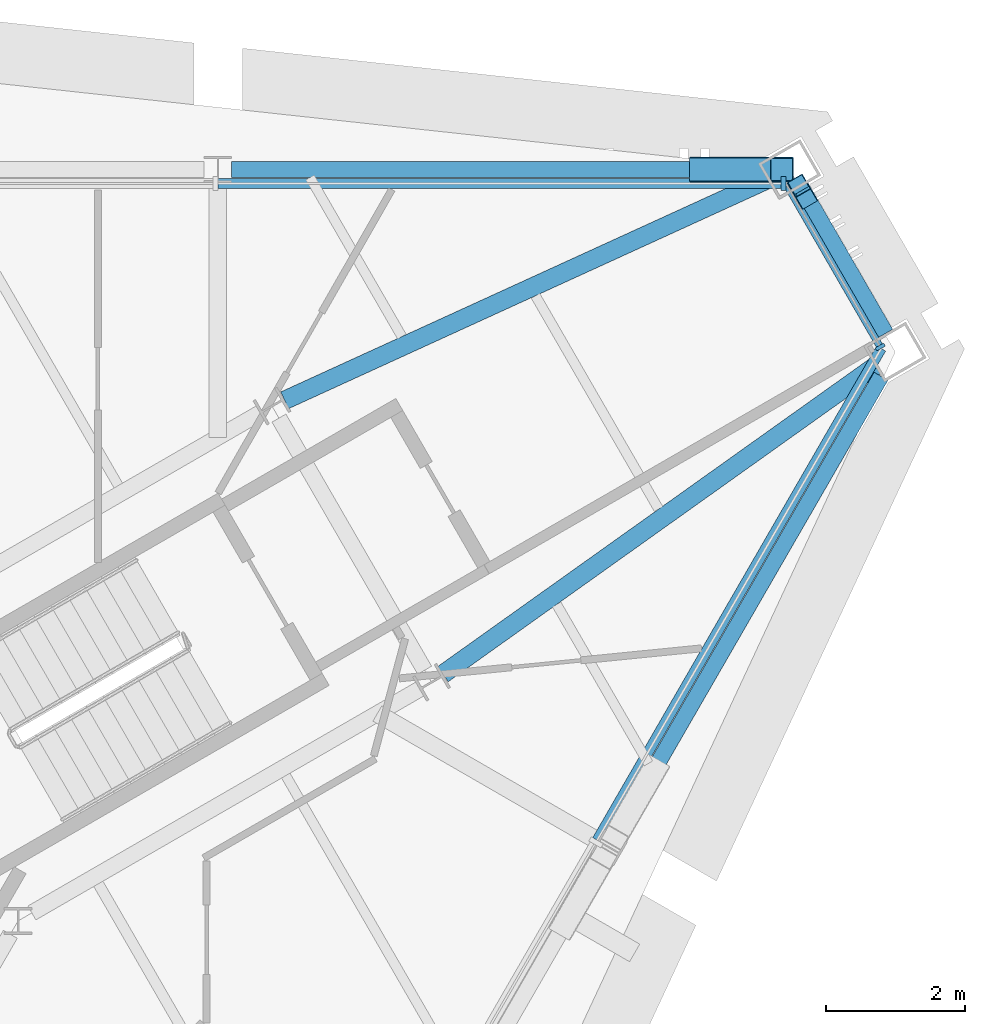
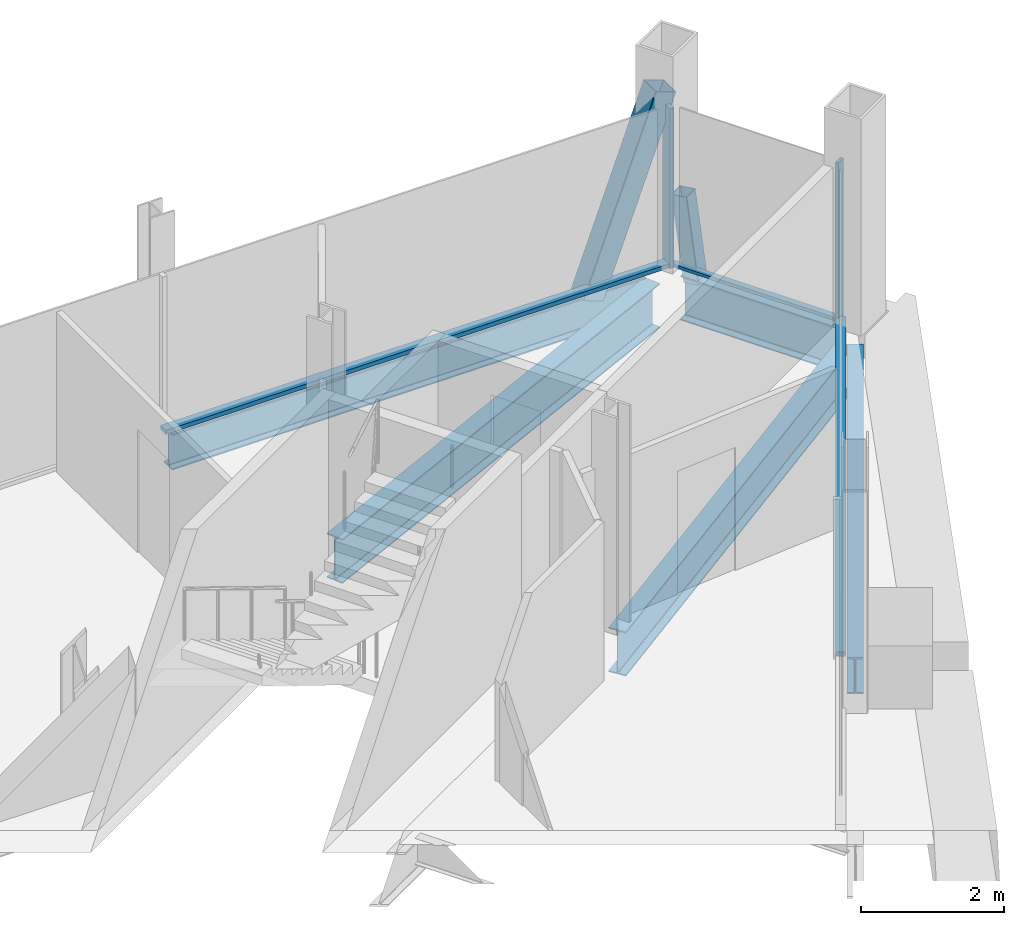
# One storey, part 6 of 13: 7 members, 5 beams, 3 elements without a shape of their own.
"""IFC4 building model written with IfcOpenShell, lengths in metres."""

from ifc_helpers import new_model, si_unit, direction, frame, origin, origin_2d, place, context, subcontext, project, spatial, rectangle, hollow_rectangle, i_section, extrude, material, material_profile, profile_set, type_object, element, aggregate, save


model = new_model("IFC4")

# Units and contexts
model_context = context("Model", 3, precision=1e-05, world=origin(), true_north=direction((0.0, 1.0)))
body_context = subcontext(model_context, "Body", "Model", "MODEL_VIEW")
ifc_project = project(units=[si_unit("LENGTHUNIT", "METRE"), si_unit("AREAUNIT", "SQUARE_METRE"), si_unit("VOLUMEUNIT", "CUBIC_METRE"), si_unit("PLANEANGLEUNIT", "RADIAN"), si_unit("MASSUNIT", "GRAM", prefix="KILO")], contexts=[model_context])

# Site, building, storey
site_placement = place(None, origin())
site = spatial("IfcSite", under=ifc_project, at=site_placement, CompositionType="ELEMENT")
building_placement = place(site_placement, origin())
building = spatial("IfcBuilding", under=site, at=building_placement, Name="Verrane Prism Tower", CompositionType="ELEMENT")
storey_placement = place(building_placement, frame((0.0, 0.0, 282.5)))
storey = spatial("IfcBuildingStorey", under=building, at=storey_placement, Name="L71", CompositionType="ELEMENT", Elevation=282.5)

# Member
ifc_material_1 = material(Name="Steel A500 Grade C", Category="steel")
ifc_material_profile_1 = material_profile(ifc_material_1, hollow_rectangle(XDim=0.25390625, YDim=0.25390625, WallThickness=0.009521484375, InnerFilletRadius=0.0048828125, OuterFilletRadius=0.014404296875, at=origin_2d()), Name="HSS10x10x3/8")
ifc_profile_set_1 = profile_set([ifc_material_profile_1], Name="Steel A500 Grade C")
member_type_1 = type_object("IfcMemberType", Name="Chamfer brace HSS10x10x3/8", PredefinedType="BRACE", material=ifc_profile_set_1)
member_1_placement = place(storey_placement, frame((20.8330078125, 13.24658203125, -0.24267578125), z_axis=(-0.067786070904, 0.117484586728, 0.990758507646), x_axis=(-0.866164837017, -0.499758416753, 0.0)))
element("IfcMember", 1, at=member_1_placement, inside=storey, type_object=member_type_1, Name="Chamfer brace NE0 L71", PredefinedType="BRACE", context=body_context, shape_type="SweptSolid", body=[
    extrude(hollow_rectangle(XDim=0.25390625, YDim=0.25390625, WallThickness=0.009521484375, InnerFilletRadius=0.0048828125, OuterFilletRadius=0.014404296875, at=origin_2d()), origin(), (0.0, 0.0, 1.0), 1.4443359375),
])

# Beams
ifc_material_2 = material(Name="Steel A992", Category="steel")
ifc_material_profile_2 = material_profile(ifc_material_2, i_section(OverallWidth=0.2666015625, OverallDepth=0.7568359375, WebThickness=0.013916015625, FlangeThickness=0.019287109375, FilletRadius=0.0166015625, at=origin_2d()), Name="W30x108")
ifc_profile_set_2 = profile_set([ifc_material_profile_2], Name="Steel A992")
beam_type_1 = type_object("IfcBeamType", Name="Chamfer spandrel beam W30x108", PredefinedType="SPANDREL", material=ifc_profile_set_2)
beam_1_placement = place(storey_placement, frame((21.969970703125, 11.27978515625, -0.53857421875), z_axis=(-0.500436097356, 0.865773476415, 0.0), x_axis=(-0.865773476415, -0.500436097356, 0.0)))
element("IfcBeam", 2, at=beam_1_placement, inside=storey, type_object=beam_type_1, Name="Chamfer spandrel beam L71", PredefinedType="SPANDREL", context=body_context, shape_type="SweptSolid", body=[
    extrude(i_section(OverallWidth=0.2666015625, OverallDepth=0.7568359375, WebThickness=0.013916015625, FlangeThickness=0.019287109375, FilletRadius=0.0166015625, at=origin_2d()), origin(), (0.0, 0.0, 1.0), 2.437744140625),
])
ifc_material_3 = material(Name="Steel A992", Category="steel")
ifc_material_profile_3 = material_profile(ifc_material_3, i_section(OverallWidth=0.2666015625, OverallDepth=0.7568359375, WebThickness=0.013916015625, FlangeThickness=0.019287109375, FilletRadius=0.0166015625, at=origin_2d()), Name="W30x108")
ifc_profile_set_3 = profile_set([ifc_material_profile_3], Name="Steel A992")
beam_type_2 = type_object("IfcBeamType", Name="Corner girder W30x108", PredefinedType="BEAM", material=ifc_profile_set_3)
for number, where, z_axis, x_axis, name in (
    (3, (21.833740234375, 10.81591796875, -0.598388671875), (-0.814401339816, -0.580302040067, 0.0), (0.580302040067, -0.814401339816, 0.0), "Corner girder L71"),
    (4, (20.2802734375, 13.50390625, -0.598388671875), (-0.909481370613, -0.415744677065, 0.0), (0.415744677065, -0.909481370613, 0.0), "Corner girder L71"),
):
    element("IfcBeam", number, at=place(storey_placement, frame(where, z_axis=z_axis, x_axis=x_axis)), inside=storey, type_object=beam_type_2, Name=name, PredefinedType="BEAM", context=body_context, shape_type="SweptSolid", body=[
        extrude(i_section(OverallWidth=0.2666015625, OverallDepth=0.7568359375, WebThickness=0.013916015625, FlangeThickness=0.019287109375, FilletRadius=0.0166015625, at=origin_2d()), origin(), (0.0, 0.0, 1.0), 7.650634765625),
    ])

# Member
ifc_material_4 = material(Name="Steel A500 Grade C", Category="steel")
ifc_material_profile_4 = material_profile(ifc_material_4, hollow_rectangle(XDim=0.355712890625, YDim=0.355712890625, WallThickness=0.0126953125, InnerFilletRadius=0.00634765625, OuterFilletRadius=0.01904296875, at=origin_2d()), Name="HSS14x14x1/2")
ifc_profile_set_4 = profile_set([ifc_material_profile_4], Name="Steel A500 Grade C")
member_type_2 = type_object("IfcMemberType", Name="Facade brace HSS14x14x1/2", PredefinedType="BRACE", material=ifc_profile_set_4)
member_2_placement = place(storey_placement, frame((19.3203125, 13.64990234375, -0.216796875), z_axis=(0.347905678485, 0.0, 0.937529540269), x_axis=(0.0, 1.0, 0.0)))
element("IfcMember", 5, at=member_2_placement, inside=storey, type_object=member_type_2, Name="Facade brace N0 L71", PredefinedType="BRACE", context=body_context, shape_type="SweptSolid", body=[
    extrude(hollow_rectangle(XDim=0.355712890625, YDim=0.355712890625, WallThickness=0.0126953125, InnerFilletRadius=0.00634765625, OuterFilletRadius=0.01904296875, at=origin_2d()), origin(), (0.0, 0.0, 1.0), 3.361328125),
])

# Curtain wall, member
ifc_material_5 = material(Name="Aluminium framed insulated glazing", Category="aluminium")
curtain_wall_type_1 = type_object("IfcCurtainWallType", Name="Curtain wall CW-C 4200 module", PredefinedType="NOTDEFINED", material=ifc_material_5)
curtain_wall_1_placement = place(storey_placement, origin())
curtain_wall_1 = element("IfcCurtainWall", 6, at=curtain_wall_1_placement, inside=storey, type_object=curtain_wall_type_1, Name="Glazed curtain wall north-east corner L71", PredefinedType="NOTDEFINED")
ifc_material_6 = material(Name="Aluminium alloy 6063-T6", Category="aluminium")
ifc_material_profile_5 = material_profile(ifc_material_6, rectangle(XDim=0.139892578125, YDim=0.050048828125, at=origin_2d()), Name="Mullion 50x140 aluminium")
ifc_profile_set_5 = profile_set([ifc_material_profile_5], Name="Aluminium alloy 6063-T6")
member_type_3 = type_object("IfcMemberType", Name="Mullion 50x140 aluminium", PredefinedType="MULLION", material=ifc_profile_set_5)
member_3_placement = place(storey_placement, frame((21.90625, 11.091552734375, 0.0), z_axis=(0.0, 0.0, 1.0), x_axis=(-0.866024225493, -0.500002040855, 0.0)))
member_3 = element("IfcMember", 7, at=member_3_placement, type_object=member_type_3, Name="CW69.1 mullion 1", PredefinedType="MULLION", context=body_context, shape_type="SweptSolid", body=[
    extrude(rectangle(XDim=0.139892578125, YDim=0.050048828125, at=origin_2d()), origin(), (0.0, 0.0, 1.0), 2.72314453125),
])

ifc_material_7 = material(Name="Aluminium framed insulated glazing", Category="aluminium")
curtain_wall_type_2 = type_object("IfcCurtainWallType", Name="Curtain wall CW-A 8400 module", PredefinedType="NOTDEFINED", material=ifc_material_7)
curtain_wall_2_placement = place(storey_placement, origin())
curtain_wall_2 = element("IfcCurtainWall", 8, at=curtain_wall_2_placement, inside=storey, type_object=curtain_wall_type_2, Name="Glazed curtain wall north face L71", PredefinedType="NOTDEFINED")
ifc_material_8 = material(Name="Aluminium alloy 6063-T6", Category="aluminium")
ifc_material_profile_6 = material_profile(ifc_material_8, rectangle(XDim=0.199951171875, YDim=0.070068359375, at=origin_2d()), Name="Mullion 70x200 aluminium")
ifc_profile_set_6 = profile_set([ifc_material_profile_6], Name="Aluminium alloy 6063-T6")
member_type_4 = type_object("IfcMemberType", Name="Mullion 70x200 aluminium", PredefinedType="MULLION", material=ifc_profile_set_6)
member_4_placement = place(storey_placement, frame((20.510986328125, 13.447265625, 0.0), z_axis=(0.0, 0.0, 1.0), x_axis=(0.0, -1.0, 0.0)))
member_4 = element("IfcMember", 9, at=member_4_placement, type_object=member_type_4, Name="CW69.2 mullion 1", PredefinedType="MULLION", context=body_context, shape_type="SweptSolid", body=[
    extrude(rectangle(XDim=0.199951171875, YDim=0.070068359375, at=origin_2d()), origin(), (0.0, 0.0, 1.0), 2.72314453125),
])

# Beams
ifc_material_9 = material(Name="Steel A992", Category="steel")
ifc_material_profile_7 = material_profile(ifc_material_9, i_section(OverallWidth=0.23046875, OverallDepth=0.6171875, WebThickness=0.01318359375, FlangeThickness=0.022216796875, FilletRadius=0.012939453125, at=origin_2d()), Name="W24x94")
ifc_profile_set_7 = profile_set([ifc_material_profile_7], Name="Steel A992")
beam_type_3 = type_object("IfcBeamType", Name="Spandrel beam W24x94", PredefinedType="SPANDREL", material=ifc_profile_set_7)
beam_2_placement = place(storey_placement, frame((20.19580078125, 13.64990234375, -0.468505859375), z_axis=(-1.0, 0.0, 0.0), x_axis=(0.0, -1.0, 0.0)))
element("IfcBeam", 10, at=beam_2_placement, inside=storey, type_object=beam_type_3, Name="Spandrel beam L71", PredefinedType="SPANDREL", context=body_context, shape_type="SweptSolid", body=[
    extrude(i_section(OverallWidth=0.23046875, OverallDepth=0.6171875, WebThickness=0.01318359375, FlangeThickness=0.022216796875, FilletRadius=0.012939453125, at=origin_2d()), origin(), (0.0, 0.0, 1.0), 7.638916015625),
])
beam_3_placement = place(storey_placement, frame((18.098388671875, 4.050537109375, -0.468505859375), z_axis=(0.499791590914, 0.866145695395, 0.0), x_axis=(-0.866145695395, 0.499791590914, 0.0)))
element("IfcBeam", 11, at=beam_3_placement, inside=storey, type_object=beam_type_3, Name="Spandrel beam L71", PredefinedType="SPANDREL", context=body_context, shape_type="SweptSolid", body=[
    extrude(i_section(OverallWidth=0.23046875, OverallDepth=0.6171875, WebThickness=0.01318359375, FlangeThickness=0.022216796875, FilletRadius=0.012939453125, at=origin_2d()), origin(), (0.0, 0.0, 1.0), 7.642333984375),
])

# Member
ifc_material_10 = material(Name="Aluminium alloy 6063-T6", Category="aluminium")
ifc_material_profile_8 = material_profile(ifc_material_10, rectangle(XDim=0.10009765625, YDim=0.050048828125, at=origin_2d()), Name="Transom 50x100 aluminium")
ifc_profile_set_8 = profile_set([ifc_material_profile_8], Name="Aluminium alloy 6063-T6")
member_type_5 = type_object("IfcMemberType", Name="Transom 50x100 aluminium", PredefinedType="USERDEFINED", material=ifc_profile_set_8)
member_5_placement = place(storey_placement, frame((21.893798828125, 11.113037109375, 0.02490234375), z_axis=(-0.499996880198, 0.866027204995, 0.0), x_axis=(-0.866027204995, -0.499996880198, 0.0)))
member_5 = element("IfcMember", 12, at=member_5_placement, type_object=member_type_5, Name="CW69.1 transom 1", ObjectType="TRANSOM", PredefinedType="USERDEFINED", context=body_context, shape_type="SweptSolid", body=[
    extrude(rectangle(XDim=0.10009765625, YDim=0.050048828125, at=origin_2d()), origin(), (0.0, 0.0, 1.0), 2.6953125),
])

aggregate(curtain_wall_1, [member_3, member_5])

ifc_material_11 = material(Name="Aluminium alloy 6063-T6", Category="aluminium")
ifc_material_profile_9 = material_profile(ifc_material_11, rectangle(XDim=0.14990234375, YDim=0.070068359375, at=origin_2d()), Name="Transom 70x150 aluminium")
ifc_profile_set_9 = profile_set([ifc_material_profile_9], Name="Aluminium alloy 6063-T6")
member_type_6 = type_object("IfcMemberType", Name="Transom 70x150 aluminium", PredefinedType="USERDEFINED", material=ifc_profile_set_9)
member_6_placement = place(storey_placement, frame((20.47607421875, 13.447265625, 0.034912109375), z_axis=(-1.0, 0.0, 0.0), x_axis=(0.0, -1.0, 0.0)))
member_6 = element("IfcMember", 13, at=member_6_placement, type_object=member_type_6, Name="CW69.2 transom 1", ObjectType="TRANSOM", PredefinedType="USERDEFINED", context=body_context, shape_type="SweptSolid", body=[
    extrude(rectangle(XDim=0.14990234375, YDim=0.070068359375, at=origin_2d()), origin(), (0.0, 0.0, 1.0), 8.113525390625),
])

aggregate(curtain_wall_2, [member_4, member_6])

# Curtain wall, member
curtain_wall_3_placement = place(storey_placement, origin())
curtain_wall_3 = element("IfcCurtainWall", 14, at=curtain_wall_3_placement, inside=storey, type_object=curtain_wall_type_2, Name="Glazed curtain wall south-east face L71", PredefinedType="NOTDEFINED")
member_7_placement = place(storey_placement, frame((17.826904296875, 3.982666015625, 0.034912109375), z_axis=(0.500002215902, 0.866024124429, 0.0), x_axis=(-0.866024124429, 0.500002215902, 0.0)))
member_7 = element("IfcMember", 15, at=member_7_placement, type_object=member_type_6, Name="CW69.6 transom 5", ObjectType="TRANSOM", PredefinedType="USERDEFINED", context=body_context, shape_type="SweptSolid", body=[
    extrude(rectangle(XDim=0.14990234375, YDim=0.070068359375, at=origin_2d()), origin(), (0.0, 0.0, 1.0), 8.18359375),
])
aggregate(curtain_wall_3, [member_7])

save(model, "model.ifc")
